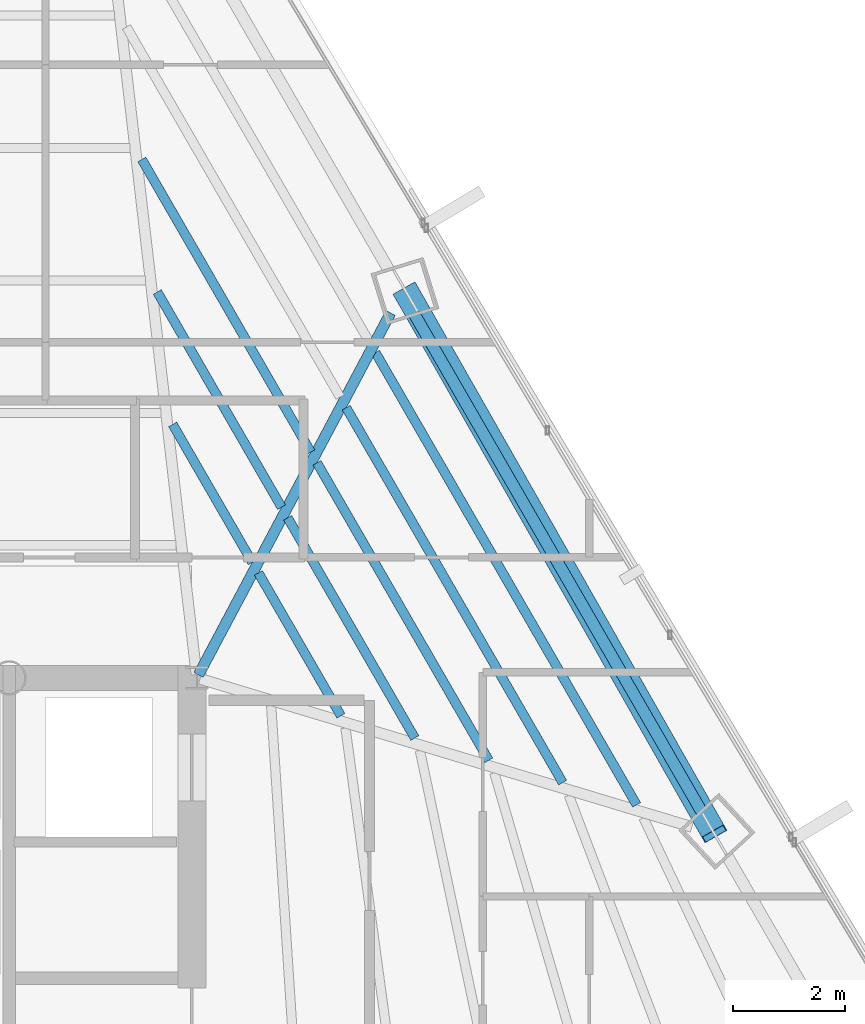
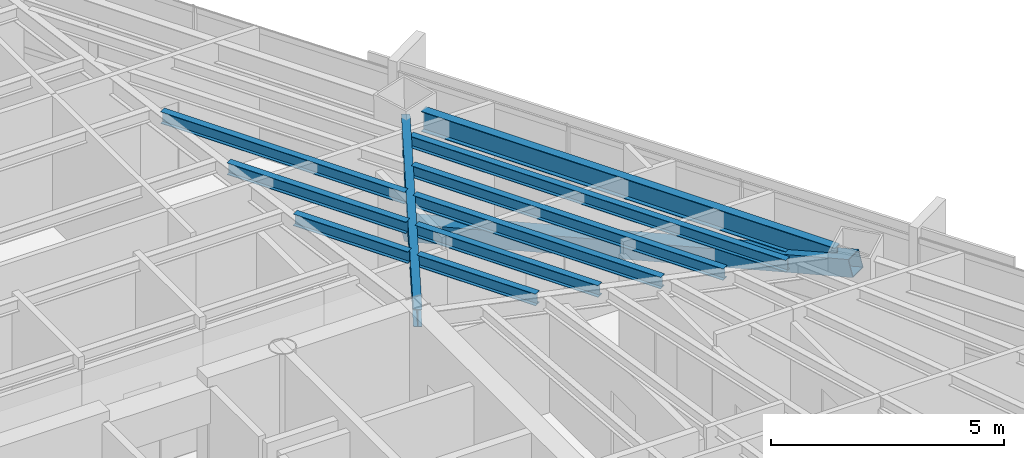
# One storey, part 24 of 41: 10 beams, 1 member.
"""IFC4 building model written with IfcOpenShell, lengths in metres."""

from ifc_helpers import new_model, si_unit, direction, frame, origin, origin_2d, place, context, subcontext, project, spatial, hollow_rectangle, i_section, extrude, source, transform, mapped, material, material_profile, profile_set, type_object, type_shapes, element, save


model = new_model("IFC4")

# Units and contexts
model_context = context("Model", 3, precision=1e-05, world=origin(), true_north=direction((0.0, 1.0)))
body_context = subcontext(model_context, "Body", "Model", "MODEL_VIEW")
ifc_project = project(units=[si_unit("LENGTHUNIT", "METRE"), si_unit("AREAUNIT", "SQUARE_METRE"), si_unit("VOLUMEUNIT", "CUBIC_METRE"), si_unit("PLANEANGLEUNIT", "RADIAN"), si_unit("MASSUNIT", "GRAM", prefix="KILO")], contexts=[model_context])

# Site, building, storey
site_placement = place(None, origin())
site = spatial("IfcSite", under=ifc_project, at=site_placement, CompositionType="ELEMENT")
building_placement = place(site_placement, origin())
building = spatial("IfcBuilding", under=site, at=building_placement, Name="Caelisora Broadcast Tower", CompositionType="ELEMENT")
storey_placement = place(building_placement, frame((0.0, 0.0, 180.39990234375)))
storey = spatial("IfcBuildingStorey", under=building, at=storey_placement, Name="L47", CompositionType="ELEMENT", Elevation=180.39990234375)

# Beams
ifc_material_1 = material(Name="Steel Grade 350 (AS/NZS 3679.1)", Category="steel")
ifc_material_profile_1 = material_profile(ifc_material_1, i_section(OverallWidth=0.208984375, OverallDepth=0.532958984375, WebThickness=0.01025390625, FlangeThickness=0.015625, at=origin_2d()), Name="Steel Grade 350 (AS/NZS 3679.1)")
ifc_profile_set_1 = profile_set([ifc_material_profile_1], Name="Steel Grade 350 (AS/NZS 3679.1)")
beam_type_1 = type_object("IfcBeamType", Name="PG05", PredefinedType="BEAM", material=ifc_profile_set_1)
shared_shape_1 = source(origin(), body_context, "Body", "SweptSolid", [
    extrude(i_section(OverallWidth=0.208984375, OverallDepth=0.532958984375, WebThickness=0.01025390625, FlangeThickness=0.015625, at=origin_2d()), origin(), (0.0, 0.0, 1.0), 10.239501953125),
])
type_shapes(beam_type_1, [shared_shape_1])
beam_1_placement = place(storey_placement, frame((54.50390625, 27.61669921875, 3.133544921875), z_axis=(-0.500008646395, 0.866020411728, 0.0), x_axis=(-0.866020411728, -0.500008646395, 0.0)))
element("IfcBeam", 1, at=beam_1_placement, inside=storey, type_object=beam_type_1, Name="L47 beam PG05", PredefinedType="BEAM", context=body_context, shape_type="MappedRepresentation", body=[
    mapped(shared_shape_1, transform((0.0, 0.0, 0.0), scale=1.0)),
])
ifc_material_profile_2 = material_profile(ifc_material_1, i_section(OverallWidth=0.19091796875, OverallDepth=0.46044921875, WebThickness=0.010009765625, FlangeThickness=0.01611328125, at=origin_2d()), Name="Steel Grade 350 (AS/NZS 3679.1)")
ifc_profile_set_2 = profile_set([ifc_material_profile_2], Name="Steel Grade 350 (AS/NZS 3679.1)")
beam_type_2 = type_object("IfcBeamType", Name="PG06", PredefinedType="BEAM", material=ifc_profile_set_2)
shared_shape_2 = source(origin(), body_context, "Body", "SweptSolid", [
    extrude(i_section(OverallWidth=0.19091796875, OverallDepth=0.46044921875, WebThickness=0.010009765625, FlangeThickness=0.01611328125, at=origin_2d()), origin(), (0.0, 0.0, 1.0), 7.312744140625),
])
type_shapes(beam_type_2, [shared_shape_2])
beam_2_placement = place(storey_placement, frame((45.528076171875, 30.052978515625, 3.169921875), z_axis=(0.468941215652, 0.883229379189, 0.0), x_axis=(-0.883229379189, 0.468941215652, 0.0)))
element("IfcBeam", 2, at=beam_2_placement, inside=storey, type_object=beam_type_2, Name="L47 beam PG06", PredefinedType="BEAM", context=body_context, shape_type="MappedRepresentation", body=[
    mapped(shared_shape_2, transform((0.0, 0.0, 0.0), scale=1.0)),
])
ifc_material_profile_3 = material_profile(ifc_material_1, i_section(OverallWidth=0.166015625, OverallDepth=0.30712890625, WebThickness=0.006591796875, FlangeThickness=0.01171875, at=origin_2d()), Name="Steel Grade 350 (AS/NZS 3679.1)")
ifc_profile_set_3 = profile_set([ifc_material_profile_3], Name="Steel Grade 350 (AS/NZS 3679.1)")
beam_type_3 = type_object("IfcBeamType", Name="SB03", PredefinedType="JOIST", material=ifc_profile_set_3)
shared_shape_3 = source(origin(), body_context, "Body", "SweptSolid", [
    extrude(i_section(OverallWidth=0.166015625, OverallDepth=0.30712890625, WebThickness=0.006591796875, FlangeThickness=0.01171875, at=origin_2d()), origin(), (0.0, 0.0, 1.0), 2.841064453125),
])
beam_3_placement = place(storey_placement, frame((46.4892578125, 32.0615234375, 3.24658203125), z_axis=(-0.500029902704, 0.866008138762, 0.0), x_axis=(-0.866008138762, -0.500029902704, 0.0)))
element("IfcBeam", 3, at=beam_3_placement, inside=storey, type_object=beam_type_3, Name="L47 beam SB03", PredefinedType="JOIST", context=body_context, shape_type="MappedRepresentation", body=[
    mapped(shared_shape_3, transform((0.0, 0.0, 0.0), scale=1.0)),
])
shared_shape_4 = source(origin(), body_context, "Body", "SweptSolid", [
    extrude(i_section(OverallWidth=0.166015625, OverallDepth=0.30712890625, WebThickness=0.006591796875, FlangeThickness=0.01171875, at=origin_2d()), origin(), (0.0, 0.0, 1.0), 4.43505859375),
])
beam_4_placement = place(storey_placement, frame((47.01123046875, 33.044921875, 3.24658203125), z_axis=(-0.500005184116, 0.866022410713, 0.0), x_axis=(-0.866022410713, -0.500005184116, 0.0)))
element("IfcBeam", 4, at=beam_4_placement, inside=storey, type_object=beam_type_3, Name="L47 beam SB03", PredefinedType="JOIST", context=body_context, shape_type="MappedRepresentation", body=[
    mapped(shared_shape_4, transform((0.0, 0.0, 0.0), scale=1.0)),
])
shared_shape_5 = source(origin(), body_context, "Body", "SweptSolid", [
    extrude(i_section(OverallWidth=0.166015625, OverallDepth=0.30712890625, WebThickness=0.006591796875, FlangeThickness=0.01171875, at=origin_2d()), origin(), (0.0, 0.0, 1.0), 6.029541015625),
])
beam_5_placement = place(storey_placement, frame((47.533203125, 34.028076171875, 3.24658203125), z_axis=(-0.499988837749, 0.866031848217, 0.0), x_axis=(-0.866031848217, -0.499988837749, 0.0)))
element("IfcBeam", 5, at=beam_5_placement, inside=storey, type_object=beam_type_3, Name="L47 beam SB03", PredefinedType="JOIST", context=body_context, shape_type="MappedRepresentation", body=[
    mapped(shared_shape_5, transform((0.0, 0.0, 0.0), scale=1.0)),
])
shared_shape_6 = source(origin(), body_context, "Body", "SweptSolid", [
    extrude(i_section(OverallWidth=0.166015625, OverallDepth=0.30712890625, WebThickness=0.006591796875, FlangeThickness=0.01171875, at=origin_2d()), origin(), (0.0, 0.0, 1.0), 2.9423828125),
])
beam_6_placement = place(storey_placement, frame((48.070068359375, 29.323486328125, 3.24658203125), z_axis=(-0.500012150126, 0.866018388792, 0.0), x_axis=(-0.866018388792, -0.500012150126, 0.0)))
element("IfcBeam", 6, at=beam_6_placement, inside=storey, type_object=beam_type_3, Name="L47 beam SB03", PredefinedType="JOIST", context=body_context, shape_type="MappedRepresentation", body=[
    mapped(shared_shape_6, transform((0.0, 0.0, 0.0), scale=1.0)),
])
shared_shape_7 = source(origin(), body_context, "Body", "SweptSolid", [
    extrude(i_section(OverallWidth=0.166015625, OverallDepth=0.30712890625, WebThickness=0.006591796875, FlangeThickness=0.01171875, at=origin_2d()), origin(), (0.0, 0.0, 1.0), 4.53662109375),
])
beam_7_placement = place(storey_placement, frame((49.38916015625, 28.926025390625, 3.24658203125), z_axis=(-0.500011280007, 0.866018891171, 0.0), x_axis=(-0.866018891171, -0.500011280007, 0.0)))
element("IfcBeam", 7, at=beam_7_placement, inside=storey, type_object=beam_type_3, Name="L47 beam SB03", PredefinedType="JOIST", context=body_context, shape_type="MappedRepresentation", body=[
    mapped(shared_shape_7, transform((0.0, 0.0, 0.0), scale=1.0)),
])
shared_shape_8 = source(origin(), body_context, "Body", "SweptSolid", [
    extrude(i_section(OverallWidth=0.166015625, OverallDepth=0.30712890625, WebThickness=0.006591796875, FlangeThickness=0.01171875, at=origin_2d()), origin(), (0.0, 0.0, 1.0), 6.130615234375),
])
beam_8_placement = place(storey_placement, frame((50.708251953125, 28.528564453125, 3.24658203125), z_axis=(-0.500010862412, 0.866019132277, 0.0), x_axis=(-0.866019132277, -0.500010862412, 0.0)))
element("IfcBeam", 8, at=beam_8_placement, inside=storey, type_object=beam_type_3, Name="L47 beam SB03", PredefinedType="JOIST", context=body_context, shape_type="MappedRepresentation", body=[
    mapped(shared_shape_8, transform((0.0, 0.0, 0.0), scale=1.0)),
])
shared_shape_9 = source(origin(), body_context, "Body", "SweptSolid", [
    extrude(i_section(OverallWidth=0.166015625, OverallDepth=0.30712890625, WebThickness=0.006591796875, FlangeThickness=0.01171875, at=origin_2d()), origin(), (0.0, 0.0, 1.0), 7.72509765625),
])
beam_9_placement = place(storey_placement, frame((52.02734375, 28.131103515625, 3.24658203125), z_axis=(-0.499996932259, 0.866027174938, 0.0), x_axis=(-0.866027174938, -0.499996932259, 0.0)))
element("IfcBeam", 9, at=beam_9_placement, inside=storey, type_object=beam_type_3, Name="L47 beam SB03", PredefinedType="JOIST", context=body_context, shape_type="MappedRepresentation", body=[
    mapped(shared_shape_9, transform((0.0, 0.0, 0.0), scale=1.0)),
])
shared_shape_10 = source(origin(), body_context, "Body", "SweptSolid", [
    extrude(i_section(OverallWidth=0.166015625, OverallDepth=0.30712890625, WebThickness=0.006591796875, FlangeThickness=0.01171875, at=origin_2d()), origin(), (0.0, 0.0, 1.0), 9.319091796875),
])
type_shapes(beam_type_3, [shared_shape_3, shared_shape_4, shared_shape_5, shared_shape_6, shared_shape_7, shared_shape_8, shared_shape_9, shared_shape_10])
beam_10_placement = place(storey_placement, frame((53.3466796875, 27.73388671875, 3.24658203125), z_axis=(-0.500010455845, 0.866019367016, 0.0), x_axis=(-0.866019367016, -0.500010455845, 0.0)))
element("IfcBeam", 10, at=beam_10_placement, inside=storey, type_object=beam_type_3, Name="L47 beam SB03", PredefinedType="JOIST", context=body_context, shape_type="MappedRepresentation", body=[
    mapped(shared_shape_10, transform((0.0, 0.0, 0.0), scale=1.0)),
])

# Member
ifc_material_2 = material(Name="Steel Grade 450 (AS/NZS 1163 C450L0)", Category="steel")
ifc_material_profile_4 = material_profile(ifc_material_2, hollow_rectangle(XDim=0.449951171875, YDim=0.449951171875, WallThickness=0.01611328125, at=origin_2d()), Name="Steel Grade 450 (AS/NZS 1163 C450L0)")
ifc_profile_set_4 = profile_set([ifc_material_profile_4], Name="Steel Grade 450 (AS/NZS 1163 C450L0)")
member_type = type_object("IfcMemberType", Name="BR03", PredefinedType="BRACE", material=ifc_profile_set_4)
shared_shape_11 = source(origin(), body_context, "Body", "SweptSolid", [
    extrude(hollow_rectangle(XDim=0.449951171875, YDim=0.449951171875, WallThickness=0.01611328125, at=origin_2d()), origin(), (0.0, 0.0, 1.0), 11.540283203125),
])
type_shapes(member_type, [shared_shape_11])
member_placement = place(storey_placement, frame((54.73388671875, 27.21826171875, 3.10009765625), z_axis=(-0.477374093828, 0.839366033535, -0.259958912695), x_axis=(-0.869251168066, -0.494370718001, 0.0)))
element("IfcMember", 11, at=member_placement, inside=storey, type_object=member_type, Name="L47 perimeter brace BR03", PredefinedType="BRACE", context=body_context, shape_type="MappedRepresentation", body=[
    mapped(shared_shape_11, transform((0.0, 0.0, 0.0), scale=1.0)),
])

save(model, "model.ifc")
